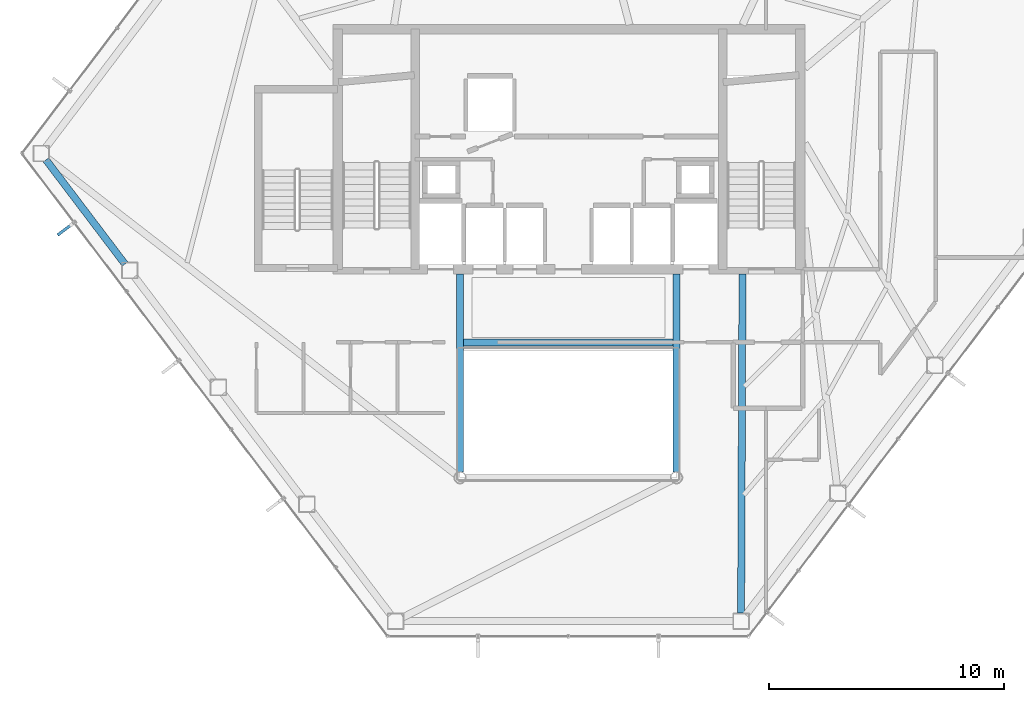
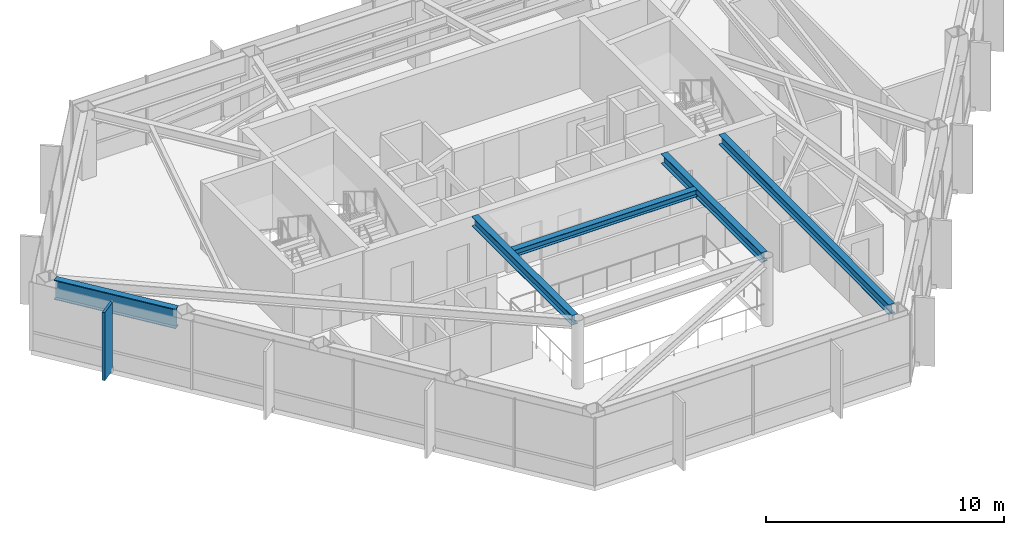
# One storey, part 9 of 28: 5 beams, 1 member, 1 element without a shape of its own.
"""IFC4 building model written with IfcOpenShell, lengths in metres."""

from ifc_helpers import new_model, si_unit, direction, frame, origin, origin_2d, place, context, subcontext, project, spatial, rectangle, i_section, extrude, material, layer, layer_set, material_profile, profile_set, type_object, element, aggregate, save


model = new_model("IFC4")

# Units and contexts
model_context = context("Model", 3, precision=1e-05, world=origin(), true_north=direction((0.0, 1.0)))
body_context = subcontext(model_context, "Body", "Model", "MODEL_VIEW")
ifc_project = project(units=[si_unit("LENGTHUNIT", "METRE"), si_unit("AREAUNIT", "SQUARE_METRE"), si_unit("VOLUMEUNIT", "CUBIC_METRE"), si_unit("PLANEANGLEUNIT", "RADIAN"), si_unit("MASSUNIT", "GRAM", prefix="KILO")], contexts=[model_context])

# Site, building, storey
site_placement = place(None, origin())
site = spatial("IfcSite", under=ifc_project, at=site_placement, CompositionType="ELEMENT")
building_placement = place(site_placement, origin())
building = spatial("IfcBuilding", under=site, at=building_placement, Name="Zarrinselat Tower", CompositionType="ELEMENT")
storey_placement = place(building_placement, frame((0.0, 0.0, 164.56005859375)))
storey = spatial("IfcBuildingStorey", under=building, at=storey_placement, Name="L40", CompositionType="ELEMENT", Elevation=164.56005859375)

# Beams
ifc_material_1 = material(Name="Steel S355J2", Category="steel")
ifc_material_profile_1 = material_profile(ifc_material_1, i_section(OverallWidth=0.300048828125, OverallDepth=0.35009765625, WebThickness=0.010009765625, FlangeThickness=0.017578125, at=origin_2d()), Name="HEA 360")
ifc_profile_set_1 = profile_set([ifc_material_profile_1], Name="Steel S355J2")
beam_type_1 = type_object("IfcBeamType", Name="BM-HEA360", PredefinedType="LINTEL", material=ifc_profile_set_1)
beam_1_placement = place(storey_placement, frame((33.93994140625, 30.14990234375, 3.324951171875), z_axis=(1.0, 0.0, 0.0), x_axis=(0.0, 1.0, 0.0)))
element("IfcBeam", 1, at=beam_1_placement, inside=storey, type_object=beam_type_1, Name="L40 Lift Lobby Ceiling Beam", PredefinedType="LINTEL", context=body_context, shape_type="SweptSolid", body=[
    extrude(i_section(OverallWidth=0.300048828125, OverallDepth=0.35009765625, WebThickness=0.010009765625, FlangeThickness=0.017578125, at=origin_2d()), origin(), (0.0, 0.0, 1.0), 8.920166015625),
])
ifc_material_2 = material(Name="Steel S355J2", Category="steel")
ifc_material_profile_2 = material_profile(ifc_material_2, i_section(OverallWidth=0.300048828125, OverallDepth=0.5, WebThickness=0.014404296875, FlangeThickness=0.028076171875, at=origin_2d()), Name="HEB 500")
ifc_profile_set_2 = profile_set([ifc_material_profile_2], Name="Steel S355J2")
beam_type_2 = type_object("IfcBeamType", Name="BM-HEB500", PredefinedType="BEAM", material=ifc_profile_set_2)
for number, where, z_axis, x_axis, name in (
    (2, (33.800048828125, 24.639892578125, 3.25), (0.0, 1.0, 0.0), (-1.0, 0.0, 0.0), "L40 Atrium Edge Beam W"),
    (3, (43.0, 24.639892578125, 3.25), (0.0, 1.0, 0.0), (-1.0, 0.0, 0.0), "L40 Atrium Edge Beam E"),
):
    element("IfcBeam", number, at=place(storey_placement, frame(where, z_axis=z_axis, x_axis=x_axis)), inside=storey, type_object=beam_type_2, Name=name, PredefinedType="BEAM", context=body_context, shape_type="SweptSolid", body=[
        extrude(i_section(OverallWidth=0.300048828125, OverallDepth=0.5, WebThickness=0.014404296875, FlangeThickness=0.028076171875, at=origin_2d()), origin(), (0.0, 0.0, 1.0), 8.420166015625),
    ])
beam_2_placement = place(storey_placement, frame((45.74072265625, 18.6552734375, 3.25), z_axis=(0.004118469529, 0.999991519068, 0.0), x_axis=(-0.999991519068, 0.004118469529, 0.0)))
element("IfcBeam", 4, at=beam_2_placement, inside=storey, type_object=beam_type_2, Name="L40 Radial Primary Girder RG11", PredefinedType="BEAM", context=body_context, shape_type="SweptSolid", body=[
    extrude(i_section(OverallWidth=0.300048828125, OverallDepth=0.5, WebThickness=0.014404296875, FlangeThickness=0.028076171875, at=origin_2d()), origin(), (0.0, 0.0, 1.0), 14.405029296875),
])
ifc_material_3 = material(Name="Steel S460M", Category="steel")
ifc_material_profile_3 = material_profile(ifc_material_3, i_section(OverallWidth=0.302001953125, OverallDepth=1.008056640625, WebThickness=0.02099609375, FlangeThickness=0.0400390625, at=origin_2d()), Name="HEM 1000")
ifc_profile_set_3 = profile_set([ifc_material_profile_3], Name="Steel S460M")
beam_type_3 = type_object("IfcBeamType", Name="BM-HEM1000", PredefinedType="BEAM", material=ifc_profile_set_3)
beam_3_placement = place(storey_placement, frame((16.21337890625, 37.901611328125, 2.995849609375), z_axis=(0.60386022629, -0.797090225198, 0.0), x_axis=(0.797090225198, 0.60386022629, 0.0)))
element("IfcBeam", 5, at=beam_3_placement, inside=storey, type_object=beam_type_3, Name="L40 Perimeter Spandrel Girder SP06", PredefinedType="BEAM", context=body_context, shape_type="SweptSolid", body=[
    extrude(i_section(OverallWidth=0.302001953125, OverallDepth=1.008056640625, WebThickness=0.02099609375, FlangeThickness=0.0400390625, at=origin_2d()), origin(), (0.0, 0.0, 1.0), 5.555419921875),
])

# Curtain wall, member
ifc_material_4 = material(Name="Extruded Aluminium Alloy EN AW-6063 T6", Category="aluminium")
ifc_layer = layer(ifc_material_4, 0.175048828125)
ifc_layer_set = layer_set([ifc_layer], Name="Extruded Aluminium Alloy EN AW-6063 T6")
curtain_wall_type = type_object("IfcCurtainWallType", Name="CWS-HTL", PredefinedType="NOTDEFINED", material=ifc_layer_set)
curtain_wall_placement = place(storey_placement, origin())
curtain_wall = element("IfcCurtainWall", 6, at=curtain_wall_placement, inside=storey, type_object=curtain_wall_type, Name="L40 Unitised Curtain Wall CW-L40-E03", PredefinedType="NOTDEFINED")
ifc_material_5 = material(Name="Honed Cream Travertine Stone", Category="masonry")
ifc_material_profile_4 = material_profile(ifc_material_5, rectangle(XDim=0.1201171875, YDim=0.85009765625, at=origin_2d()), Name="FIN 850x120")
ifc_profile_set_4 = profile_set([ifc_material_profile_4], Name="Honed Cream Travertine Stone")
member_type = type_object("IfcMemberType", Name="MEM-STONE-FIN", PredefinedType="USERDEFINED", material=ifc_profile_set_4)
member_placement = place(storey_placement, frame((17.047607421875, 34.962158203125, 0.0), z_axis=(0.0, 0.0, 1.0), x_axis=(-0.603857987184, 0.797091921496, 0.0)))
member = element("IfcMember", 7, at=member_placement, type_object=member_type, Name="L40 Stone Shading Fin CW-L40-E03-01", ObjectType="FIN", PredefinedType="USERDEFINED", context=body_context, shape_type="SweptSolid", body=[
    extrude(rectangle(XDim=0.1201171875, YDim=0.85009765625, at=origin_2d()), origin(), (0.0, 0.0, 1.0), 3.5),
])
aggregate(curtain_wall, [member])

save(model, "model.ifc")
